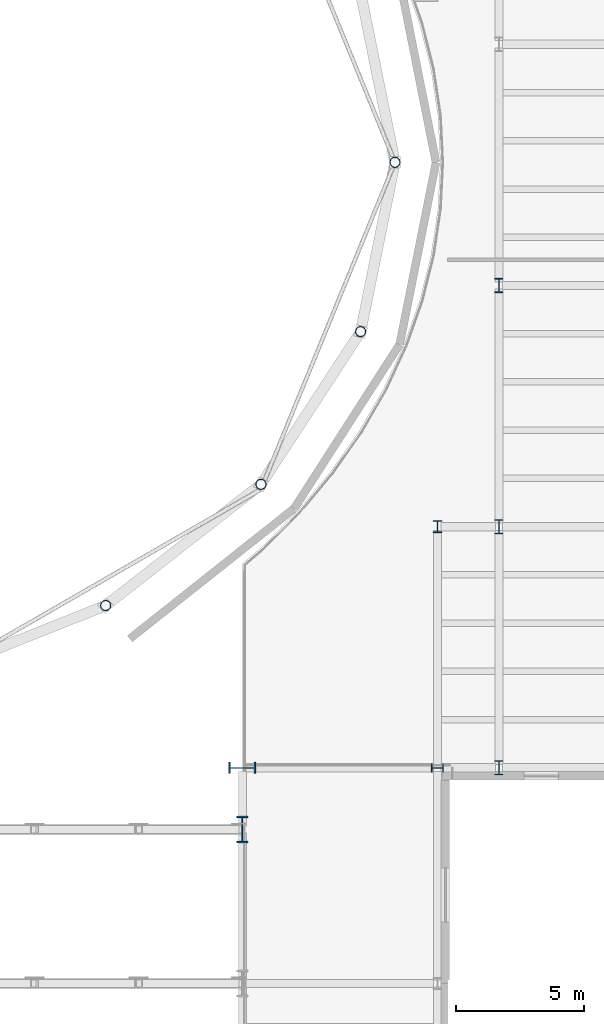
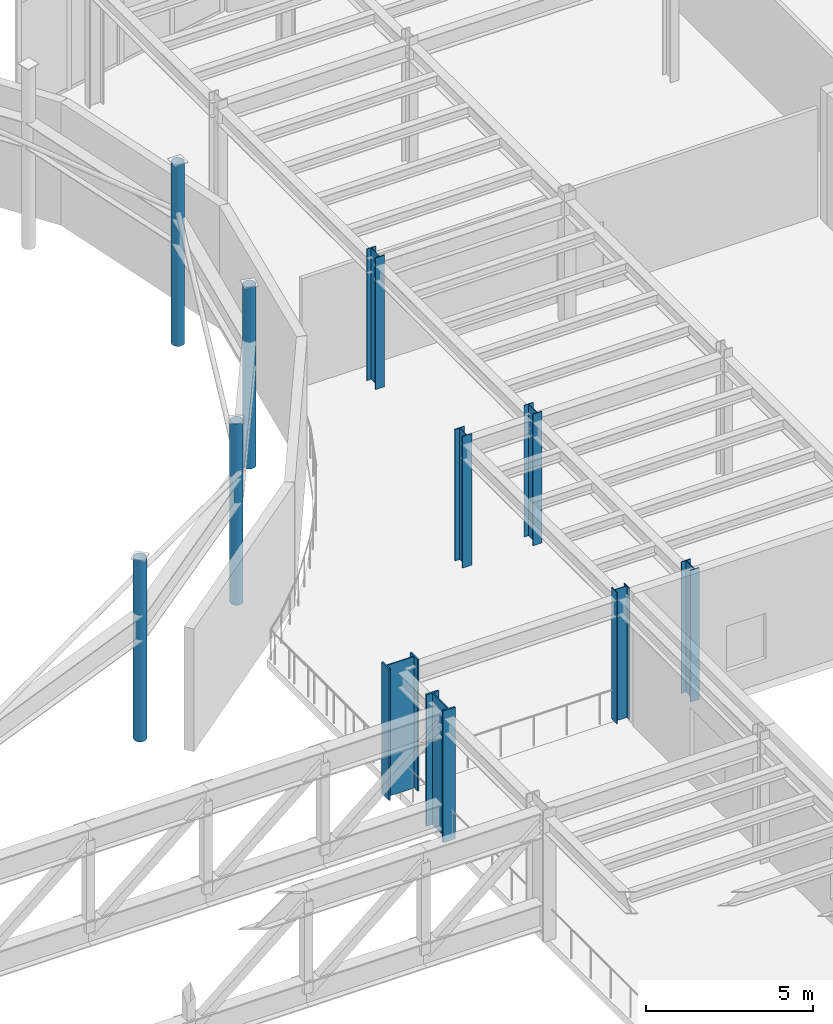
# One storey, part 8 of 91: 11 columns.
"""IFC4 building model written with IfcOpenShell, lengths in metres."""

from ifc_helpers import new_model, si_unit, direction, frame, origin, origin_2d, place, context, subcontext, project, spatial, hollow_circle, i_section, extrude, material, material_profile, profile_set, type_object, element, save


model = new_model("IFC4")

# Units and contexts
model_context = context("Model", 3, precision=1e-05, world=origin(), true_north=direction((0.0, 1.0)))
body_context = subcontext(model_context, "Body", "Model", "MODEL_VIEW")
ifc_project = project(units=[si_unit("LENGTHUNIT", "METRE"), si_unit("AREAUNIT", "SQUARE_METRE"), si_unit("VOLUMEUNIT", "CUBIC_METRE"), si_unit("PLANEANGLEUNIT", "RADIAN"), si_unit("MASSUNIT", "GRAM", prefix="KILO")], contexts=[model_context])

# Site, building, storey
site_placement = place(None, origin())
site = spatial("IfcSite", under=ifc_project, at=site_placement, CompositionType="ELEMENT")
building_placement = place(site_placement, origin())
building = spatial("IfcBuilding", under=site, at=building_placement, Name="Sollismere Congress Hotel", CompositionType="ELEMENT")
storey_placement = place(building_placement, frame((0.0, 0.0, 10.800048828125)))
storey = spatial("IfcBuildingStorey", under=building, at=storey_placement, Name="L02", CompositionType="ELEMENT", Elevation=10.800048828125)

# Columns
ifc_material_1 = material(Name="Steel ASTM A500 Grade C", Category="steel")
ifc_material_profile_1 = material_profile(ifc_material_1, hollow_circle(Radius=0.202880859375, WallThickness=0.01611328125, at=origin_2d()), Name="CHS406X16")
ifc_profile_set_1 = profile_set([ifc_material_profile_1], Name="Steel ASTM A500 Grade C")
column_type_1 = type_object("IfcColumnType", Name="COL-CHS406I", PredefinedType="COLUMN", material=ifc_profile_set_1)
for number, where, z_axis, x_axis, name in (
    (1, (56.35009765625, 90.39990234375, 0.0), (0.0, 0.0, 1.0), (1.0, 0.0, 0.0), "Column CL-L02-1150"),
    (2, (45.075927734375, 73.12744140625, 0.0), (0.0, 0.0, 1.0), (0.681359873953, -0.731948578909, 0.0), "Column CL-L02-1218"),
    (3, (51.126708984375, 77.850830078125, 0.0), (0.0, 0.0, 1.0), (0.869839554062, -0.493334724289, 0.0), "Column CL-L02-1222"),
    (4, (55.011474609375, 83.802490234375, 0.0), (0.0, 0.0, 1.0), (0.969316774365, -0.245814952628, 0.0), "Column CL-L02-1226"),
):
    element("IfcColumn", number, at=place(storey_placement, frame(where, z_axis=z_axis, x_axis=x_axis)), inside=storey, type_object=column_type_1, Name=name, PredefinedType="COLUMN", context=body_context, shape_type="SweptSolid", body=[
        extrude(hollow_circle(Radius=0.202880859375, WallThickness=0.01611328125, at=origin_2d()), origin(), (0.0, 0.0, 1.0), 6.619873046875),
    ])
ifc_material_2 = material(Name="Steel ASTM A992 Grade 50", Category="steel")
ifc_material_profile_2 = material_profile(ifc_material_2, i_section(OverallWidth=0.330078125, OverallDepth=0.4599609375, WebThickness=0.016357421875, FlangeThickness=0.026123046875, at=origin_2d()), Name="W14X132")
ifc_profile_set_2 = profile_set([ifc_material_profile_2], Name="Steel ASTM A992 Grade 50")
column_type_2 = type_object("IfcColumnType", Name="COL-W14H", PredefinedType="COLUMN", material=ifc_profile_set_2)
for number, where, z_axis, x_axis, name in (
    (5, (58.0, 66.800048828125, 0.0), (0.0, 0.0, 1.0), (0.0, 1.0, 0.0), "Column CL-L02-267"),
    (6, (58.0, 76.199951171875, 0.0), (0.0, 0.0, 1.0), (1.0, 0.0, 0.0), "Column CL-L02-271"),
):
    element("IfcColumn", number, at=place(storey_placement, frame(where, z_axis=z_axis, x_axis=x_axis)), inside=storey, type_object=column_type_2, Name=name, PredefinedType="COLUMN", context=body_context, shape_type="SweptSolid", body=[
        extrude(i_section(OverallWidth=0.330078125, OverallDepth=0.4599609375, WebThickness=0.016357421875, FlangeThickness=0.026123046875, at=origin_2d()), origin(), (0.0, 0.0, 1.0), 4.800048828125),
    ])
ifc_material_profile_3 = material_profile(ifc_material_2, i_section(OverallWidth=0.31494140625, OverallDepth=0.551025390625, WebThickness=0.01513671875, FlangeThickness=0.0244140625, at=origin_2d()), Name="W21X122")
ifc_profile_set_3 = profile_set([ifc_material_profile_3], Name="Steel ASTM A992 Grade 50")
column_type_3 = type_object("IfcColumnType", Name="COL-W21", PredefinedType="COLUMN", material=ifc_profile_set_3)
for number, where, z_axis, x_axis, name in (
    (7, (60.39990234375, 66.800048828125, 0.0), (0.0, 0.0, 1.0), (1.0, 0.0, 0.0), "Column CL-L02-1060"),
    (8, (60.39990234375, 76.199951171875, 0.0), (0.0, 0.0, 1.0), (1.0, 0.0, 0.0), "Column CL-L02-1066"),
    (9, (60.39990234375, 85.60009765625, 0.0), (0.0, 0.0, 1.0), (1.0, 0.0, 0.0), "Column CL-L02-1072"),
):
    element("IfcColumn", number, at=place(storey_placement, frame(where, z_axis=z_axis, x_axis=x_axis)), inside=storey, type_object=column_type_3, Name=name, PredefinedType="COLUMN", context=body_context, shape_type="SweptSolid", body=[
        extrude(i_section(OverallWidth=0.31494140625, OverallDepth=0.551025390625, WebThickness=0.01513671875, FlangeThickness=0.0244140625, at=origin_2d()), origin(), (0.0, 0.0, 1.0), 4.800048828125),
    ])
ifc_material_profile_4 = material_profile(ifc_material_2, i_section(OverallWidth=0.427001953125, OverallDepth=1.041015625, WebThickness=0.031005859375, FlangeThickness=0.055908203125, at=origin_2d()), Name="W40X397")
ifc_profile_set_4 = profile_set([ifc_material_profile_4], Name="Steel ASTM A992 Grade 50")
column_type_4 = type_object("IfcColumnType", Name="COL-W40", PredefinedType="COLUMN", material=ifc_profile_set_4)
for number, where, z_axis, x_axis, name in (
    (10, (50.39990234375, 66.800048828125, 0.0), (0.0, 0.0, 1.0), (0.0, 1.0, 0.0), "Column CL-L02-224"),
    (11, (50.39990234375, 64.39990234375, 0.0), (0.0, 0.0, 1.0), (1.0, 0.0, 0.0), "Column CL-L02-1146"),
):
    element("IfcColumn", number, at=place(storey_placement, frame(where, z_axis=z_axis, x_axis=x_axis)), inside=storey, type_object=column_type_4, Name=name, PredefinedType="COLUMN", context=body_context, shape_type="SweptSolid", body=[
        extrude(i_section(OverallWidth=0.427001953125, OverallDepth=1.041015625, WebThickness=0.031005859375, FlangeThickness=0.055908203125, at=origin_2d()), origin(), (0.0, 0.0, 1.0), 4.800048828125),
    ])

save(model, "model.ifc")
